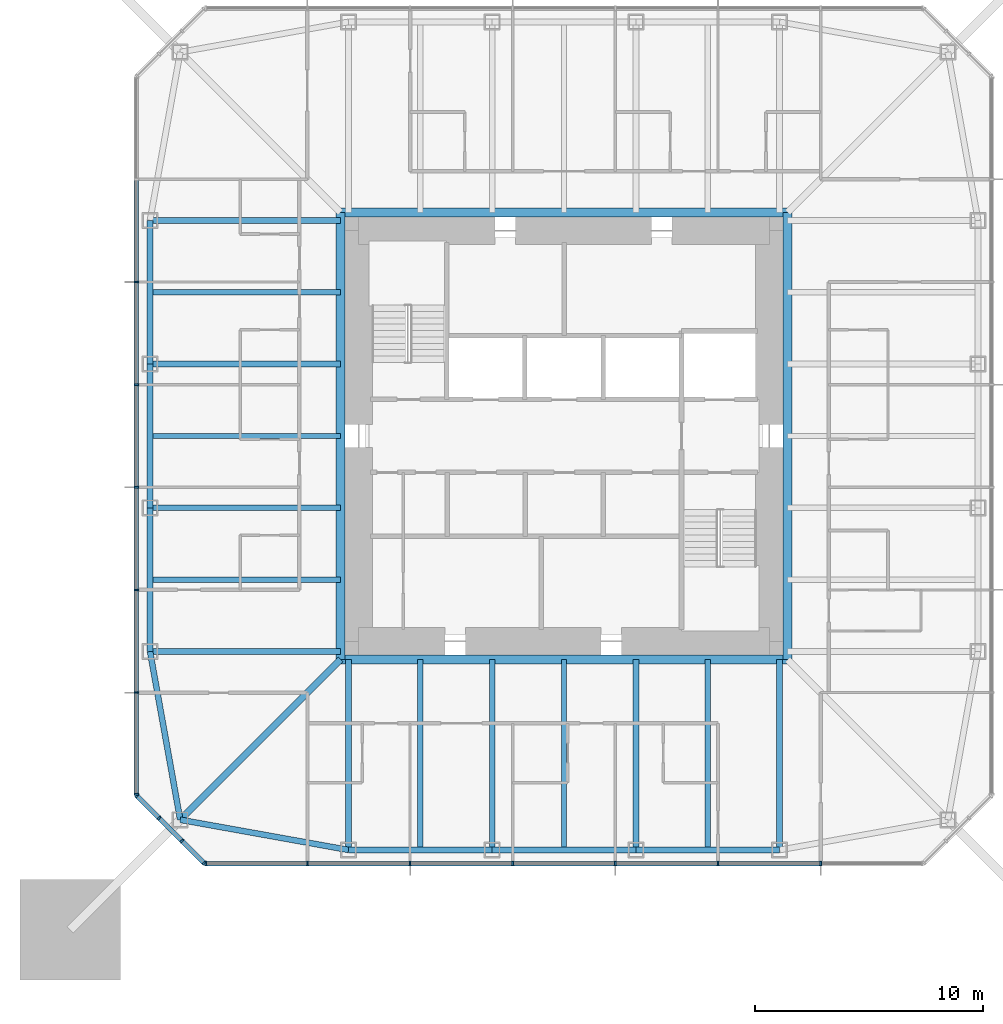
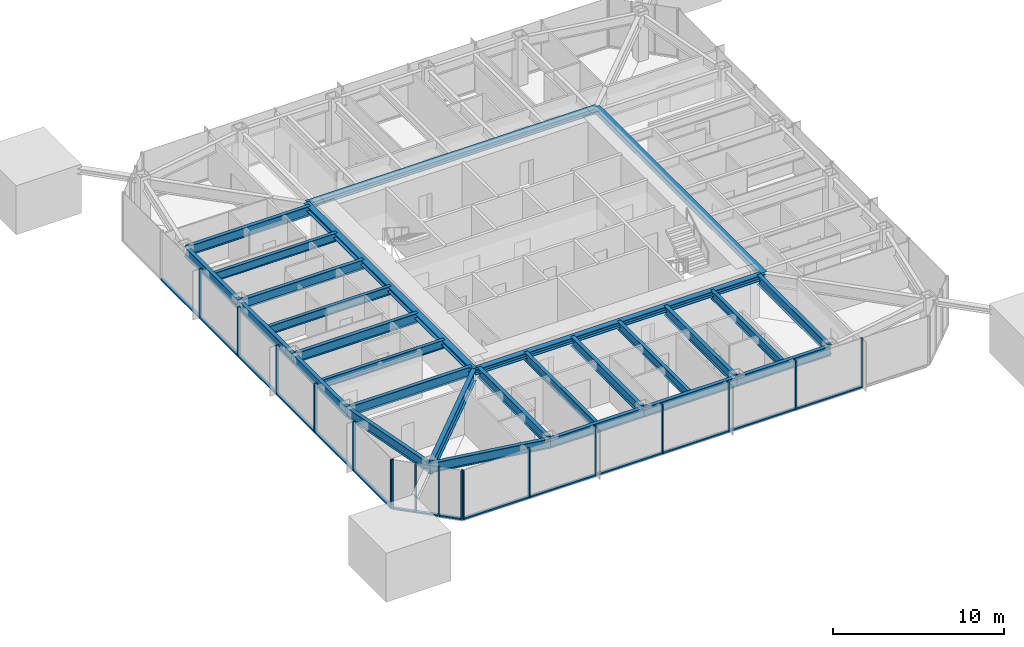
# One storey, part 2 of 12: 32 members, 27 beams, 3 elements without a shape of their own.
"""IFC4 building model written with IfcOpenShell, lengths in metres."""

from ifc_helpers import new_model, si_unit, direction, frame, origin, origin_2d, place, context, subcontext, project, spatial, rectangle, i_section, extrude, material, material_profile, profile_set, type_object, element, aggregate, save


model = new_model("IFC4")

# Units and contexts
model_context = context("Model", 3, precision=1e-05, world=origin(), true_north=direction((0.0, 1.0)))
body_context = subcontext(model_context, "Body", "Model", "MODEL_VIEW")
ifc_project = project(units=[si_unit("LENGTHUNIT", "METRE"), si_unit("AREAUNIT", "SQUARE_METRE"), si_unit("VOLUMEUNIT", "CUBIC_METRE"), si_unit("PLANEANGLEUNIT", "RADIAN"), si_unit("MASSUNIT", "GRAM", prefix="KILO")], contexts=[model_context])

# Site, building, storey
site_placement = place(None, origin())
site = spatial("IfcSite", under=ifc_project, at=site_placement, CompositionType="ELEMENT")
building_placement = place(site_placement, origin())
building = spatial("IfcBuilding", under=site, at=building_placement, Name="Iwan Alto Co-Living Towers", CompositionType="ELEMENT")
storey_placement = place(building_placement, frame((0.0, 0.0, 153.0)))
storey = spatial("IfcBuildingStorey", under=building, at=storey_placement, Name="L41", CompositionType="ELEMENT", Elevation=153.0)

# Curtain wall, members
ifc_material_1 = material(Name="Bronze aluminium unitised frame", Category="aluminium")
curtain_wall_type_1 = type_object("IfcCurtainWallType", Name="CURTAIN WALL CW-A", PredefinedType="NOTDEFINED", material=ifc_material_1)
curtain_wall_1_placement = place(storey_placement, origin())
curtain_wall_1 = element("IfcCurtainWall", 1, at=curtain_wall_1_placement, inside=storey, type_object=curtain_wall_type_1, Name="T1 curtain wall S L41", PredefinedType="NOTDEFINED")
ifc_material_2 = material(Name="Aluminium 6063-T6 bronze anodised", Category="aluminium")
ifc_material_profile_1 = material_profile(ifc_material_2, rectangle(XDim=0.199951171875, YDim=0.080078125, at=origin_2d()), Name="AL 80X200")
ifc_profile_set_1 = profile_set([ifc_material_profile_1], Name="Aluminium 6063-T6 bronze anodised")
member_type_1 = type_object("IfcMemberType", Name="CW-A MULLION 80X200", PredefinedType="MULLION", material=ifc_profile_set_1)
member_1_placement = place(storey_placement, frame((-15.7099609375, -18.75, 0.0), z_axis=(0.0, 0.0, 1.0), x_axis=(0.0, 1.0, 0.0)))
member_1 = element("IfcMember", 2, at=member_1_placement, type_object=member_type_1, Name="CW-A mullion 1", PredefinedType="MULLION", context=body_context, shape_type="SweptSolid", body=[
    extrude(rectangle(XDim=0.199951171875, YDim=0.080078125, at=origin_2d()), origin(), (0.0, 0.0, 1.0), 3.5),
])
member_2_placement = place(storey_placement, frame((-11.25, -18.75, 0.0), z_axis=(0.0, 0.0, 1.0), x_axis=(0.0, 1.0, 0.0)))
member_2 = element("IfcMember", 3, at=member_2_placement, type_object=member_type_1, Name="CW-A mullion 2", PredefinedType="MULLION", context=body_context, shape_type="SweptSolid", body=[
    extrude(rectangle(XDim=0.199951171875, YDim=0.080078125, at=origin_2d()), origin(), (0.0, 0.0, 1.0), 3.5),
])
member_3_placement = place(storey_placement, frame((-6.75, -18.75, 0.0), z_axis=(0.0, 0.0, 1.0), x_axis=(0.0, 1.0, 0.0)))
member_3 = element("IfcMember", 4, at=member_3_placement, type_object=member_type_1, Name="CW-A mullion 3", PredefinedType="MULLION", context=body_context, shape_type="SweptSolid", body=[
    extrude(rectangle(XDim=0.199951171875, YDim=0.080078125, at=origin_2d()), origin(), (0.0, 0.0, 1.0), 3.5),
])
member_4_placement = place(storey_placement, frame((-2.25, -18.75, 0.0), z_axis=(0.0, 0.0, 1.0), x_axis=(0.0, 1.0, 0.0)))
member_4 = element("IfcMember", 5, at=member_4_placement, type_object=member_type_1, Name="CW-A mullion 4", PredefinedType="MULLION", context=body_context, shape_type="SweptSolid", body=[
    extrude(rectangle(XDim=0.199951171875, YDim=0.080078125, at=origin_2d()), origin(), (0.0, 0.0, 1.0), 3.5),
])
member_5_placement = place(storey_placement, frame((2.25, -18.75, 0.0), z_axis=(0.0, 0.0, 1.0), x_axis=(0.0, 1.0, 0.0)))
member_5 = element("IfcMember", 6, at=member_5_placement, type_object=member_type_1, Name="CW-A mullion 5", PredefinedType="MULLION", context=body_context, shape_type="SweptSolid", body=[
    extrude(rectangle(XDim=0.199951171875, YDim=0.080078125, at=origin_2d()), origin(), (0.0, 0.0, 1.0), 3.5),
])
member_6_placement = place(storey_placement, frame((6.75, -18.75, 0.0), z_axis=(0.0, 0.0, 1.0), x_axis=(0.0, 1.0, 0.0)))
member_6 = element("IfcMember", 7, at=member_6_placement, type_object=member_type_1, Name="CW-A mullion 6", PredefinedType="MULLION", context=body_context, shape_type="SweptSolid", body=[
    extrude(rectangle(XDim=0.199951171875, YDim=0.080078125, at=origin_2d()), origin(), (0.0, 0.0, 1.0), 3.5),
])
member_7_placement = place(storey_placement, frame((11.25, -18.75, 0.0), z_axis=(0.0, 0.0, 1.0), x_axis=(0.0, 1.0, 0.0)))
member_7 = element("IfcMember", 8, at=member_7_placement, type_object=member_type_1, Name="CW-A mullion 7", PredefinedType="MULLION", context=body_context, shape_type="SweptSolid", body=[
    extrude(rectangle(XDim=0.199951171875, YDim=0.080078125, at=origin_2d()), origin(), (0.0, 0.0, 1.0), 3.5),
])

curtain_wall_2_placement = place(storey_placement, origin())
curtain_wall_2 = element("IfcCurtainWall", 9, at=curtain_wall_2_placement, inside=storey, type_object=curtain_wall_type_1, Name="T1 curtain wall W L41", PredefinedType="NOTDEFINED")
member_8_placement = place(storey_placement, frame((-18.75, 6.75, 0.0), z_axis=(0.0, 0.0, 1.0), x_axis=(1.0, 0.0, 0.0)))
member_8 = element("IfcMember", 10, at=member_8_placement, type_object=member_type_1, Name="CW-A mullion 3", PredefinedType="MULLION", context=body_context, shape_type="SweptSolid", body=[
    extrude(rectangle(XDim=0.199951171875, YDim=0.080078125, at=origin_2d()), origin(), (0.0, 0.0, 1.0), 3.5),
])
member_9_placement = place(storey_placement, frame((-18.75, 2.25, 0.0), z_axis=(0.0, 0.0, 1.0), x_axis=(1.0, 0.0, 0.0)))
member_9 = element("IfcMember", 11, at=member_9_placement, type_object=member_type_1, Name="CW-A mullion 4", PredefinedType="MULLION", context=body_context, shape_type="SweptSolid", body=[
    extrude(rectangle(XDim=0.199951171875, YDim=0.080078125, at=origin_2d()), origin(), (0.0, 0.0, 1.0), 3.5),
])
member_10_placement = place(storey_placement, frame((-18.75, -2.25, 0.0), z_axis=(0.0, 0.0, 1.0), x_axis=(1.0, 0.0, 0.0)))
member_10 = element("IfcMember", 12, at=member_10_placement, type_object=member_type_1, Name="CW-A mullion 5", PredefinedType="MULLION", context=body_context, shape_type="SweptSolid", body=[
    extrude(rectangle(XDim=0.199951171875, YDim=0.080078125, at=origin_2d()), origin(), (0.0, 0.0, 1.0), 3.5),
])
member_11_placement = place(storey_placement, frame((-18.75, -6.75, 0.0), z_axis=(0.0, 0.0, 1.0), x_axis=(1.0, 0.0, 0.0)))
member_11 = element("IfcMember", 13, at=member_11_placement, type_object=member_type_1, Name="CW-A mullion 6", PredefinedType="MULLION", context=body_context, shape_type="SweptSolid", body=[
    extrude(rectangle(XDim=0.199951171875, YDim=0.080078125, at=origin_2d()), origin(), (0.0, 0.0, 1.0), 3.5),
])
member_12_placement = place(storey_placement, frame((-18.75, -11.25, 0.0), z_axis=(0.0, 0.0, 1.0), x_axis=(1.0, 0.0, 0.0)))
member_12 = element("IfcMember", 14, at=member_12_placement, type_object=member_type_1, Name="CW-A mullion 7", PredefinedType="MULLION", context=body_context, shape_type="SweptSolid", body=[
    extrude(rectangle(XDim=0.199951171875, YDim=0.080078125, at=origin_2d()), origin(), (0.0, 0.0, 1.0), 3.5),
])
member_13_placement = place(storey_placement, frame((-18.75, -15.7099609375, 0.0), z_axis=(0.0, 0.0, 1.0), x_axis=(1.0, 0.0, 0.0)))
member_13 = element("IfcMember", 15, at=member_13_placement, type_object=member_type_1, Name="CW-A mullion 8", PredefinedType="MULLION", context=body_context, shape_type="SweptSolid", body=[
    extrude(rectangle(XDim=0.199951171875, YDim=0.080078125, at=origin_2d()), origin(), (0.0, 0.0, 1.0), 3.5),
])

# Member
ifc_material_3 = material(Name="Aluminium 6063-T6 bronze anodised", Category="aluminium")
ifc_material_profile_2 = material_profile(ifc_material_3, rectangle(XDim=0.199951171875, YDim=0.10009765625, at=origin_2d()), Name="AL 200X100")
ifc_profile_set_2 = profile_set([ifc_material_profile_2], Name="Aluminium 6063-T6 bronze anodised")
member_type_2 = type_object("IfcMemberType", Name="CW-A TRANSOM 200X100", PredefinedType="USERDEFINED", material=ifc_profile_set_2)
member_14_placement = place(storey_placement, frame((-15.669921875, -18.75, 0.050048828125), z_axis=(1.0, 0.0, 0.0), x_axis=(0.0, 1.0, 0.0)))
member_14 = element("IfcMember", 16, at=member_14_placement, type_object=member_type_2, Name="CW-A transom 1.1", ObjectType="TRANSOM", PredefinedType="USERDEFINED", context=body_context, shape_type="SweptSolid", body=[
    extrude(rectangle(XDim=0.199951171875, YDim=0.10009765625, at=origin_2d()), origin(), (0.0, 0.0, 1.0), 4.3798828125),
])

member_15_placement = place(storey_placement, frame((-11.2099609375, -18.75, 0.050048828125), z_axis=(1.0, 0.0, 0.0), x_axis=(0.0, 1.0, 0.0)))
member_15 = element("IfcMember", 17, at=member_15_placement, type_object=member_type_2, Name="CW-A transom 2.1", ObjectType="TRANSOM", PredefinedType="USERDEFINED", context=body_context, shape_type="SweptSolid", body=[
    extrude(rectangle(XDim=0.199951171875, YDim=0.10009765625, at=origin_2d()), origin(), (0.0, 0.0, 1.0), 4.419921875),
])

member_16_placement = place(storey_placement, frame((-6.7099609375, -18.75, 0.050048828125), z_axis=(1.0, 0.0, 0.0), x_axis=(0.0, 1.0, 0.0)))
member_16 = element("IfcMember", 18, at=member_16_placement, type_object=member_type_2, Name="CW-A transom 3.1", ObjectType="TRANSOM", PredefinedType="USERDEFINED", context=body_context, shape_type="SweptSolid", body=[
    extrude(rectangle(XDim=0.199951171875, YDim=0.10009765625, at=origin_2d()), origin(), (0.0, 0.0, 1.0), 4.419921875),
])

member_17_placement = place(storey_placement, frame((-2.2099609375, -18.75, 0.050048828125), z_axis=(1.0, 0.0, 0.0), x_axis=(0.0, 1.0, 0.0)))
member_17 = element("IfcMember", 19, at=member_17_placement, type_object=member_type_2, Name="CW-A transom 4.1", ObjectType="TRANSOM", PredefinedType="USERDEFINED", context=body_context, shape_type="SweptSolid", body=[
    extrude(rectangle(XDim=0.199951171875, YDim=0.10009765625, at=origin_2d()), origin(), (0.0, 0.0, 1.0), 4.419921875),
])

member_18_placement = place(storey_placement, frame((2.2900390625, -18.75, 0.050048828125), z_axis=(1.0, 0.0, 0.0), x_axis=(0.0, 1.0, 0.0)))
member_18 = element("IfcMember", 20, at=member_18_placement, type_object=member_type_2, Name="CW-A transom 5.1", ObjectType="TRANSOM", PredefinedType="USERDEFINED", context=body_context, shape_type="SweptSolid", body=[
    extrude(rectangle(XDim=0.199951171875, YDim=0.10009765625, at=origin_2d()), origin(), (0.0, 0.0, 1.0), 4.419921875),
])

member_19_placement = place(storey_placement, frame((6.7900390625, -18.75, 0.050048828125), z_axis=(1.0, 0.0, 0.0), x_axis=(0.0, 1.0, 0.0)))
member_19 = element("IfcMember", 21, at=member_19_placement, type_object=member_type_2, Name="CW-A transom 6.1", ObjectType="TRANSOM", PredefinedType="USERDEFINED", context=body_context, shape_type="SweptSolid", body=[
    extrude(rectangle(XDim=0.199951171875, YDim=0.10009765625, at=origin_2d()), origin(), (0.0, 0.0, 1.0), 4.419921875),
])

aggregate(curtain_wall_1, [member_1, member_2, member_3, member_4, member_5, member_6, member_7, member_14, member_15, member_16, member_17, member_18, member_19])

member_20_placement = place(storey_placement, frame((-18.75, 11.2099609375, 0.050048828125), z_axis=(0.0, -1.0, 0.0), x_axis=(1.0, 0.0, 0.0)))
member_20 = element("IfcMember", 22, at=member_20_placement, type_object=member_type_2, Name="CW-A transom 2.1", ObjectType="TRANSOM", PredefinedType="USERDEFINED", context=body_context, shape_type="SweptSolid", body=[
    extrude(rectangle(XDim=0.199951171875, YDim=0.10009765625, at=origin_2d()), origin(), (0.0, 0.0, 1.0), 4.419921875),
])

member_21_placement = place(storey_placement, frame((-18.75, 6.7099609375, 0.050048828125), z_axis=(0.0, -1.0, 0.0), x_axis=(1.0, 0.0, 0.0)))
member_21 = element("IfcMember", 23, at=member_21_placement, type_object=member_type_2, Name="CW-A transom 3.1", ObjectType="TRANSOM", PredefinedType="USERDEFINED", context=body_context, shape_type="SweptSolid", body=[
    extrude(rectangle(XDim=0.199951171875, YDim=0.10009765625, at=origin_2d()), origin(), (0.0, 0.0, 1.0), 4.419921875),
])

member_22_placement = place(storey_placement, frame((-18.75, 2.2099609375, 0.050048828125), z_axis=(0.0, -1.0, 0.0), x_axis=(1.0, 0.0, 0.0)))
member_22 = element("IfcMember", 24, at=member_22_placement, type_object=member_type_2, Name="CW-A transom 4.1", ObjectType="TRANSOM", PredefinedType="USERDEFINED", context=body_context, shape_type="SweptSolid", body=[
    extrude(rectangle(XDim=0.199951171875, YDim=0.10009765625, at=origin_2d()), origin(), (0.0, 0.0, 1.0), 4.419921875),
])

member_23_placement = place(storey_placement, frame((-18.75, -2.2900390625, 0.050048828125), z_axis=(0.0, -1.0, 0.0), x_axis=(1.0, 0.0, 0.0)))
member_23 = element("IfcMember", 25, at=member_23_placement, type_object=member_type_2, Name="CW-A transom 5.1", ObjectType="TRANSOM", PredefinedType="USERDEFINED", context=body_context, shape_type="SweptSolid", body=[
    extrude(rectangle(XDim=0.199951171875, YDim=0.10009765625, at=origin_2d()), origin(), (0.0, 0.0, 1.0), 4.419921875),
])

member_24_placement = place(storey_placement, frame((-18.75, -6.7900390625, 0.050048828125), z_axis=(0.0, -1.0, 0.0), x_axis=(1.0, 0.0, 0.0)))
member_24 = element("IfcMember", 26, at=member_24_placement, type_object=member_type_2, Name="CW-A transom 6.1", ObjectType="TRANSOM", PredefinedType="USERDEFINED", context=body_context, shape_type="SweptSolid", body=[
    extrude(rectangle(XDim=0.199951171875, YDim=0.10009765625, at=origin_2d()), origin(), (0.0, 0.0, 1.0), 4.419921875),
])

member_25_placement = place(storey_placement, frame((-18.75, -11.2900390625, 0.050048828125), z_axis=(0.0, -1.0, 0.0), x_axis=(1.0, 0.0, 0.0)))
member_25 = element("IfcMember", 27, at=member_25_placement, type_object=member_type_2, Name="CW-A transom 7.1", ObjectType="TRANSOM", PredefinedType="USERDEFINED", context=body_context, shape_type="SweptSolid", body=[
    extrude(rectangle(XDim=0.199951171875, YDim=0.10009765625, at=origin_2d()), origin(), (0.0, 0.0, 1.0), 4.3798828125),
])

aggregate(curtain_wall_2, [member_8, member_9, member_10, member_11, member_12, member_13, member_20, member_21, member_22, member_23, member_24, member_25])

# Curtain wall, members
ifc_material_4 = material(Name="Bronze aluminium unitised frame", Category="aluminium")
curtain_wall_type_2 = type_object("IfcCurtainWallType", Name="CURTAIN WALL CW-B", PredefinedType="NOTDEFINED", material=ifc_material_4)
curtain_wall_3_placement = place(storey_placement, origin())
curtain_wall_3 = element("IfcCurtainWall", 28, at=curtain_wall_3_placement, inside=storey, type_object=curtain_wall_type_2, Name="T1 chamfer curtain wall SW L41", PredefinedType="NOTDEFINED")
ifc_material_5 = material(Name="Aluminium 6063-T6 bronze anodised", Category="aluminium")
ifc_material_profile_3 = material_profile(ifc_material_5, rectangle(XDim=0.199951171875, YDim=0.080078125, at=origin_2d()), Name="AL 80X200")
ifc_profile_set_3 = profile_set([ifc_material_profile_3], Name="Aluminium 6063-T6 bronze anodised")
member_type_3 = type_object("IfcMemberType", Name="CW-B MULLION 80X200", PredefinedType="MULLION", material=ifc_profile_set_3)
member_26_placement = place(storey_placement, frame((-18.7216796875, -15.7783203125, 0.0), z_axis=(0.0, 0.0, 1.0), x_axis=(0.707106781187, 0.707106781187, 0.0)))
member_26 = element("IfcMember", 29, at=member_26_placement, type_object=member_type_3, Name="CW-B mullion 1", PredefinedType="MULLION", context=body_context, shape_type="SweptSolid", body=[
    extrude(rectangle(XDim=0.199951171875, YDim=0.080078125, at=origin_2d()), origin(), (0.0, 0.0, 1.0), 3.5),
])
member_27_placement = place(storey_placement, frame((-17.75, -16.75, 0.0), z_axis=(0.0, 0.0, 1.0), x_axis=(0.707106781187, 0.707106781187, 0.0)))
member_27 = element("IfcMember", 30, at=member_27_placement, type_object=member_type_3, Name="CW-B mullion 2", PredefinedType="MULLION", context=body_context, shape_type="SweptSolid", body=[
    extrude(rectangle(XDim=0.199951171875, YDim=0.080078125, at=origin_2d()), origin(), (0.0, 0.0, 1.0), 3.5),
])
member_28_placement = place(storey_placement, frame((-16.75, -17.75, 0.0), z_axis=(0.0, 0.0, 1.0), x_axis=(0.707106781187, 0.707106781187, 0.0)))
member_28 = element("IfcMember", 31, at=member_28_placement, type_object=member_type_3, Name="CW-B mullion 3", PredefinedType="MULLION", context=body_context, shape_type="SweptSolid", body=[
    extrude(rectangle(XDim=0.199951171875, YDim=0.080078125, at=origin_2d()), origin(), (0.0, 0.0, 1.0), 3.5),
])
member_29_placement = place(storey_placement, frame((-15.7783203125, -18.7216796875, 0.0), z_axis=(0.0, 0.0, 1.0), x_axis=(0.707106781187, 0.707106781187, 0.0)))
member_29 = element("IfcMember", 32, at=member_29_placement, type_object=member_type_3, Name="CW-B mullion 4", PredefinedType="MULLION", context=body_context, shape_type="SweptSolid", body=[
    extrude(rectangle(XDim=0.199951171875, YDim=0.080078125, at=origin_2d()), origin(), (0.0, 0.0, 1.0), 3.5),
])
ifc_material_6 = material(Name="Aluminium 6063-T6 bronze anodised", Category="aluminium")
ifc_material_profile_4 = material_profile(ifc_material_6, rectangle(XDim=0.199951171875, YDim=0.10009765625, at=origin_2d()), Name="AL 200X100")
ifc_profile_set_4 = profile_set([ifc_material_profile_4], Name="Aluminium 6063-T6 bronze anodised")
member_type_4 = type_object("IfcMemberType", Name="CW-B TRANSOM 200X100", PredefinedType="USERDEFINED", material=ifc_profile_set_4)
member_30_placement = place(storey_placement, frame((-18.693359375, -15.806640625, 0.050048828125), z_axis=(0.707106781187, -0.707106781187, 0.0), x_axis=(0.707106781187, 0.707106781187, 0.0)))
member_30 = element("IfcMember", 33, at=member_30_placement, type_object=member_type_4, Name="CW-B transom 1.1", ObjectType="TRANSOM", PredefinedType="USERDEFINED", context=body_context, shape_type="SweptSolid", body=[
    extrude(rectangle(XDim=0.199951171875, YDim=0.10009765625, at=origin_2d()), origin(), (0.0, 0.0, 1.0), 1.2939453125),
])
member_31_placement = place(storey_placement, frame((-17.7216796875, -16.7783203125, 0.050048828125), z_axis=(0.707106781187, -0.707106781187, 0.0), x_axis=(0.707106781187, 0.707106781187, 0.0)))
member_31 = element("IfcMember", 34, at=member_31_placement, type_object=member_type_4, Name="CW-B transom 2.1", ObjectType="TRANSOM", PredefinedType="USERDEFINED", context=body_context, shape_type="SweptSolid", body=[
    extrude(rectangle(XDim=0.199951171875, YDim=0.10009765625, at=origin_2d()), origin(), (0.0, 0.0, 1.0), 1.334228515625),
])
member_32_placement = place(storey_placement, frame((-16.7216796875, -17.7783203125, 0.050048828125), z_axis=(0.707106781187, -0.707106781187, 0.0), x_axis=(0.707106781187, 0.707106781187, 0.0)))
member_32 = element("IfcMember", 35, at=member_32_placement, type_object=member_type_4, Name="CW-B transom 3.1", ObjectType="TRANSOM", PredefinedType="USERDEFINED", context=body_context, shape_type="SweptSolid", body=[
    extrude(rectangle(XDim=0.199951171875, YDim=0.10009765625, at=origin_2d()), origin(), (0.0, 0.0, 1.0), 1.2939453125),
])
aggregate(curtain_wall_3, [member_26, member_27, member_28, member_29, member_30, member_31, member_32])

# Beams
ifc_material_7 = material(Name="Steel ASTM A992 Gr 50", Category="steel")
ifc_material_profile_5 = material_profile(ifc_material_7, i_section(OverallWidth=0.398681640625, OverallDepth=0.385986328125, WebThickness=0.02099609375, FlangeThickness=0.033203125, at=origin_2d()), Name="W14X176")
ifc_profile_set_5 = profile_set([ifc_material_profile_5], Name="Steel ASTM A992 Gr 50")
beam_type_1 = type_object("IfcBeamType", Name="T1 CORE LEDGER BEAM W14X176", PredefinedType="BEAM", material=ifc_profile_set_5)
for number, where, z_axis, x_axis, name in (
    (36, (-9.79931640625, -9.79931640625, 3.076904296875), (1.0, 0.0, 0.0), (0.0, 1.0, 0.0), "T1 core ledger beam S L42"),
    (37, (9.79931640625, -9.79931640625, 3.076904296875), (0.0, 1.0, 0.0), (-1.0, 0.0, 0.0), "T1 core ledger beam E L42"),
    (38, (9.79931640625, 9.79931640625, 3.076904296875), (-1.0, 0.0, 0.0), (0.0, -1.0, 0.0), "T1 core ledger beam N L42"),
    (39, (-9.79931640625, 9.79931640625, 3.076904296875), (0.0, -1.0, 0.0), (1.0, 0.0, 0.0), "T1 core ledger beam W L42"),
):
    element("IfcBeam", number, at=place(storey_placement, frame(where, z_axis=z_axis, x_axis=x_axis)), inside=storey, type_object=beam_type_1, Name=name, PredefinedType="BEAM", context=body_context, shape_type="SweptSolid", body=[
        extrude(i_section(OverallWidth=0.398681640625, OverallDepth=0.385986328125, WebThickness=0.02099609375, FlangeThickness=0.033203125, at=origin_2d()), origin(), (0.0, 0.0, 1.0), 19.5986328125),
    ])
ifc_material_8 = material(Name="Steel ASTM A992 Gr 50", Category="steel")
ifc_material_profile_6 = material_profile(ifc_material_8, i_section(OverallWidth=0.2919921875, OverallDepth=0.8408203125, WebThickness=0.0146484375, FlangeThickness=0.021728515625, at=origin_2d()), Name="W33X130")
ifc_profile_set_6 = profile_set([ifc_material_profile_6], Name="Steel ASTM A992 Gr 50")
beam_type_2 = type_object("IfcBeamType", Name="T1 CORNER GIRDER W33X130", PredefinedType="BEAM", material=ifc_profile_set_6)
beam_1_placement = place(storey_placement, frame((-16.82568359375, -16.82568359375, 2.849609375), z_axis=(0.707106781187, 0.707106781187, 0.0), x_axis=(-0.707106781187, 0.707106781187, 0.0)))
element("IfcBeam", 40, at=beam_1_placement, inside=storey, type_object=beam_type_2, Name="T1 corner girder CSW L42", PredefinedType="BEAM", context=body_context, shape_type="SweptSolid", body=[
    extrude(i_section(OverallWidth=0.2919921875, OverallDepth=0.8408203125, WebThickness=0.0146484375, FlangeThickness=0.021728515625, at=origin_2d()), origin(), (0.0, 0.0, 1.0), 9.936767578125),
])
ifc_material_9 = material(Name="Steel ASTM A992 Gr 50", Category="steel")
ifc_material_profile_7 = material_profile(ifc_material_9, i_section(OverallWidth=0.25390625, OverallDepth=0.683349609375, WebThickness=0.012451171875, FlangeThickness=0.018798828125, at=origin_2d()), Name="W27X94")
ifc_profile_set_7 = profile_set([ifc_material_profile_7], Name="Steel ASTM A992 Gr 50")
beam_type_3 = type_object("IfcBeamType", Name="T1 EDGE BEAM W27X94", PredefinedType="BEAM", material=ifc_profile_set_7)
beam_2_placement = place(storey_placement, frame((-16.82568359375, -16.82568359375, 2.928466796875), z_axis=(0.98426263553, -0.17671181143, 0.0), x_axis=(0.17671181143, 0.98426263553, 0.0)))
element("IfcBeam", 41, at=beam_2_placement, inside=storey, type_object=beam_type_3, Name="T1 edge beam CSW L42", PredefinedType="BEAM", context=body_context, shape_type="SweptSolid", body=[
    extrude(i_section(OverallWidth=0.25390625, OverallDepth=0.683349609375, WebThickness=0.012451171875, FlangeThickness=0.018798828125, at=origin_2d()), origin(), (0.0, 0.0, 1.0), 7.49365234375),
])
beam_3_placement = place(storey_placement, frame((-9.449951171875, -18.14990234375, 2.928466796875), z_axis=(1.0, 0.0, 0.0), x_axis=(0.0, 1.0, 0.0)))
element("IfcBeam", 42, at=beam_3_placement, inside=storey, type_object=beam_type_3, Name="T1 edge beam S1 L42", PredefinedType="BEAM", context=body_context, shape_type="SweptSolid", body=[
    extrude(i_section(OverallWidth=0.25390625, OverallDepth=0.683349609375, WebThickness=0.012451171875, FlangeThickness=0.018798828125, at=origin_2d()), origin(), (0.0, 0.0, 1.0), 6.300048828125),
])
beam_4_placement = place(storey_placement, frame((-3.14990234375, -18.14990234375, 2.928466796875), z_axis=(1.0, 0.0, 0.0), x_axis=(0.0, 1.0, 0.0)))
element("IfcBeam", 43, at=beam_4_placement, inside=storey, type_object=beam_type_3, Name="T1 edge beam S2 L42", PredefinedType="BEAM", context=body_context, shape_type="SweptSolid", body=[
    extrude(i_section(OverallWidth=0.25390625, OverallDepth=0.683349609375, WebThickness=0.012451171875, FlangeThickness=0.018798828125, at=origin_2d()), origin(), (0.0, 0.0, 1.0), 6.2998046875),
])
for number, where, z_axis, x_axis, name in (
    (44, (3.14990234375, -18.14990234375, 2.928466796875), (1.0, 0.0, 0.0), (0.0, 1.0, 0.0), "T1 edge beam S3 L42"),
    (45, (-18.14990234375, 9.449951171875, 2.928466796875), (0.0, -1.0, 0.0), (1.0, 0.0, 0.0), "T1 edge beam W1 L42"),
):
    element("IfcBeam", number, at=place(storey_placement, frame(where, z_axis=z_axis, x_axis=x_axis)), inside=storey, type_object=beam_type_3, Name=name, PredefinedType="BEAM", context=body_context, shape_type="SweptSolid", body=[
        extrude(i_section(OverallWidth=0.25390625, OverallDepth=0.683349609375, WebThickness=0.012451171875, FlangeThickness=0.018798828125, at=origin_2d()), origin(), (0.0, 0.0, 1.0), 6.300048828125),
    ])
beam_5_placement = place(storey_placement, frame((-18.14990234375, 3.14990234375, 2.928466796875), z_axis=(0.0, -1.0, 0.0), x_axis=(1.0, 0.0, 0.0)))
element("IfcBeam", 46, at=beam_5_placement, inside=storey, type_object=beam_type_3, Name="T1 edge beam W2 L42", PredefinedType="BEAM", context=body_context, shape_type="SweptSolid", body=[
    extrude(i_section(OverallWidth=0.25390625, OverallDepth=0.683349609375, WebThickness=0.012451171875, FlangeThickness=0.018798828125, at=origin_2d()), origin(), (0.0, 0.0, 1.0), 6.2998046875),
])
beam_6_placement = place(storey_placement, frame((-18.14990234375, -3.14990234375, 2.928466796875), z_axis=(0.0, -1.0, 0.0), x_axis=(1.0, 0.0, 0.0)))
element("IfcBeam", 47, at=beam_6_placement, inside=storey, type_object=beam_type_3, Name="T1 edge beam W3 L42", PredefinedType="BEAM", context=body_context, shape_type="SweptSolid", body=[
    extrude(i_section(OverallWidth=0.25390625, OverallDepth=0.683349609375, WebThickness=0.012451171875, FlangeThickness=0.018798828125, at=origin_2d()), origin(), (0.0, 0.0, 1.0), 6.300048828125),
])
beam_7_placement = place(storey_placement, frame((-18.14990234375, -9.449951171875, 2.928466796875), z_axis=(0.17671181143, -0.98426263553, 0.0), x_axis=(0.98426263553, 0.17671181143, 0.0)))
element("IfcBeam", 48, at=beam_7_placement, inside=storey, type_object=beam_type_3, Name="T1 edge beam W4 L42", PredefinedType="BEAM", context=body_context, shape_type="SweptSolid", body=[
    extrude(i_section(OverallWidth=0.25390625, OverallDepth=0.683349609375, WebThickness=0.012451171875, FlangeThickness=0.018798828125, at=origin_2d()), origin(), (0.0, 0.0, 1.0), 7.49365234375),
])
ifc_material_10 = material(Name="Steel ASTM A992 Gr 50", Category="steel")
ifc_material_profile_8 = material_profile(ifc_material_10, i_section(OverallWidth=0.25390625, OverallDepth=0.683349609375, WebThickness=0.012451171875, FlangeThickness=0.018798828125, at=origin_2d()), Name="W27X94")
ifc_profile_set_8 = profile_set([ifc_material_profile_8], Name="Steel ASTM A992 Gr 50")
beam_type_4 = type_object("IfcBeamType", Name="T1 RADIAL BEAM W27X94", PredefinedType="BEAM", material=ifc_profile_set_8)
for number, where, z_axis, x_axis, name in (
    (49, (-9.449951171875, -18.14990234375, 2.928466796875), (0.0, 1.0, 0.0), (-1.0, 0.0, 0.0), "T1 radial beam S1 L42"),
    (50, (-3.14990234375, -18.14990234375, 2.928466796875), (0.0, 1.0, 0.0), (-1.0, 0.0, 0.0), "T1 radial beam S2 L42"),
    (51, (3.14990234375, -18.14990234375, 2.928466796875), (0.0, 1.0, 0.0), (-1.0, 0.0, 0.0), "T1 radial beam S3 L42"),
    (52, (9.449951171875, -18.14990234375, 2.928466796875), (0.0, 1.0, 0.0), (-1.0, 0.0, 0.0), "T1 radial beam S4 L42"),
    (53, (-18.14990234375, 9.449951171875, 2.928466796875), (1.0, 0.0, 0.0), (0.0, 1.0, 0.0), "T1 radial beam W1 L42"),
    (54, (-18.14990234375, 3.14990234375, 2.928466796875), (1.0, 0.0, 0.0), (0.0, 1.0, 0.0), "T1 radial beam W2 L42"),
    (55, (-18.14990234375, -3.14990234375, 2.928466796875), (1.0, 0.0, 0.0), (0.0, 1.0, 0.0), "T1 radial beam W3 L42"),
    (56, (-18.14990234375, -9.449951171875, 2.928466796875), (1.0, 0.0, 0.0), (0.0, 1.0, 0.0), "T1 radial beam W4 L42"),
):
    element("IfcBeam", number, at=place(storey_placement, frame(where, z_axis=z_axis, x_axis=x_axis)), inside=storey, type_object=beam_type_4, Name=name, PredefinedType="BEAM", context=body_context, shape_type="SweptSolid", body=[
        extrude(i_section(OverallWidth=0.25390625, OverallDepth=0.683349609375, WebThickness=0.012451171875, FlangeThickness=0.018798828125, at=origin_2d()), origin(), (0.0, 0.0, 1.0), 8.3505859375),
    ])
ifc_material_11 = material(Name="Steel ASTM A992 Gr 50", Category="steel")
ifc_material_profile_9 = material_profile(ifc_material_11, i_section(OverallWidth=0.228271484375, OverallDepth=0.607177734375, WebThickness=0.01123046875, FlangeThickness=0.017333984375, at=origin_2d()), Name="W24X76")
ifc_profile_set_9 = profile_set([ifc_material_profile_9], Name="Steel ASTM A992 Gr 50")
beam_type_5 = type_object("IfcBeamType", Name="T1 SECONDARY BEAM W24X76", PredefinedType="JOIST", material=ifc_profile_set_9)
for number, where, z_axis, x_axis, name in (
    (57, (-6.300048828125, -18.14990234375, 2.966552734375), (0.0, 1.0, 0.0), (-1.0, 0.0, 0.0), "T1 secondary beam S1 L42"),
    (58, (0.0, -18.14990234375, 2.966552734375), (0.0, 1.0, 0.0), (-1.0, 0.0, 0.0), "T1 secondary beam S2 L42"),
    (59, (6.300048828125, -18.14990234375, 2.966552734375), (0.0, 1.0, 0.0), (-1.0, 0.0, 0.0), "T1 secondary beam S3 L42"),
    (60, (-18.14990234375, 6.300048828125, 2.966552734375), (1.0, 0.0, 0.0), (0.0, 1.0, 0.0), "T1 secondary beam W1 L42"),
    (61, (-18.14990234375, 0.0, 2.966552734375), (1.0, 0.0, 0.0), (0.0, 1.0, 0.0), "T1 secondary beam W2 L42"),
    (62, (-18.14990234375, -6.300048828125, 2.966552734375), (1.0, 0.0, 0.0), (0.0, 1.0, 0.0), "T1 secondary beam W3 L42"),
):
    element("IfcBeam", number, at=place(storey_placement, frame(where, z_axis=z_axis, x_axis=x_axis)), inside=storey, type_object=beam_type_5, Name=name, PredefinedType="JOIST", context=body_context, shape_type="SweptSolid", body=[
        extrude(i_section(OverallWidth=0.228271484375, OverallDepth=0.607177734375, WebThickness=0.01123046875, FlangeThickness=0.017333984375, at=origin_2d()), origin(), (0.0, 0.0, 1.0), 8.3505859375),
    ])

save(model, "model.ifc")
